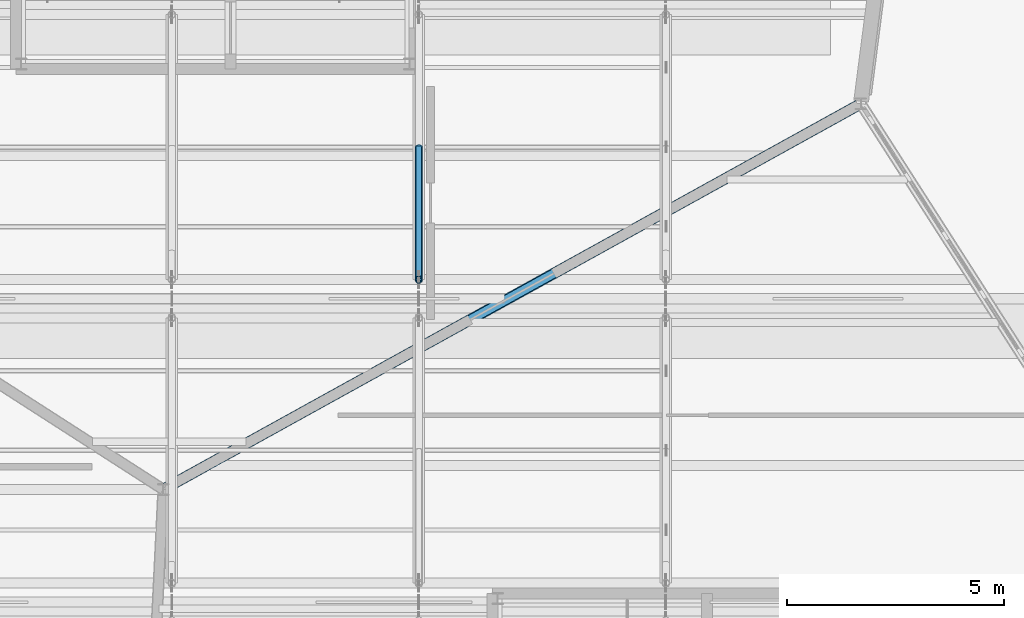
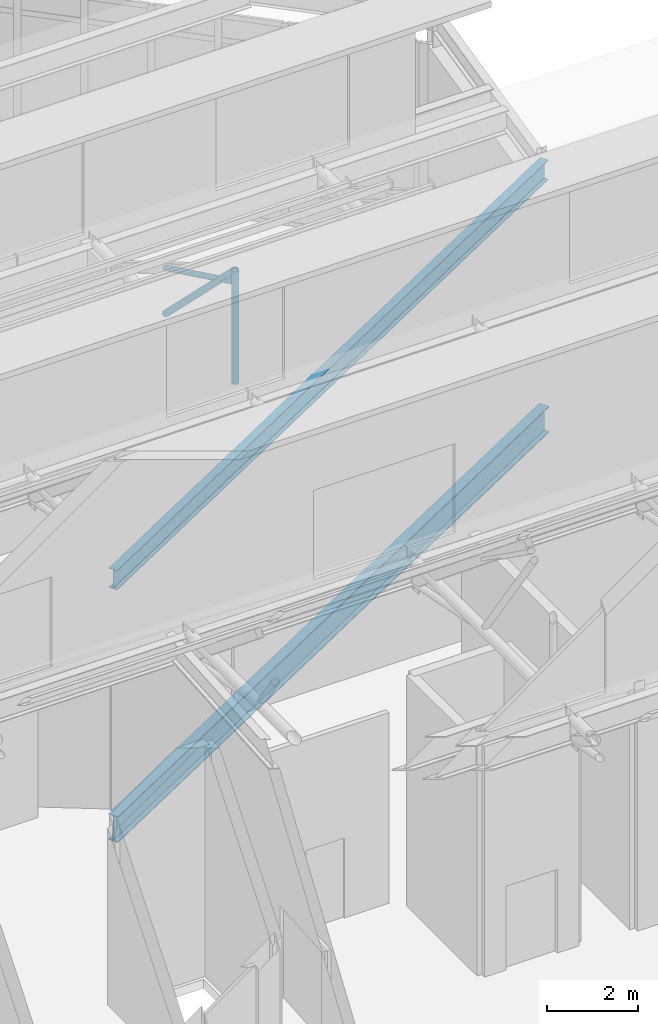
# One storey, part 31 of 55: 3 members, 2 beams.
"""IFC4 building model written with IfcOpenShell, lengths in metres."""

from ifc_helpers import new_model, si_unit, direction, frame, origin, origin_2d, place, context, subcontext, project, spatial, hollow_circle, i_section, extrude, material, material_profile, profile_set, type_object, element, save


model = new_model("IFC4")

# Units and contexts
model_context = context("Model", 3, precision=1e-05, world=origin(), true_north=direction((0.0, 1.0)))
body_context = subcontext(model_context, "Body", "Model", "MODEL_VIEW")
ifc_project = project(units=[si_unit("LENGTHUNIT", "METRE"), si_unit("AREAUNIT", "SQUARE_METRE"), si_unit("VOLUMEUNIT", "CUBIC_METRE"), si_unit("PLANEANGLEUNIT", "RADIAN"), si_unit("MASSUNIT", "GRAM", prefix="KILO")], contexts=[model_context])

# Site, building, storey
site_placement = place(None, origin())
site = spatial("IfcSite", under=ifc_project, at=site_placement, CompositionType="ELEMENT")
building_placement = place(site_placement, origin())
building = spatial("IfcBuilding", under=site, at=building_placement, Name="Tameran Prism Museum", CompositionType="ELEMENT")
storey_placement = place(building_placement, frame((0.0, 0.0, 28.800048828125)))
storey = spatial("IfcBuildingStorey", under=building, at=storey_placement, Name="L05", CompositionType="ELEMENT", Elevation=28.800048828125)

# Beams
ifc_material_1 = material(Name="Steel Grade 300PLUS (300 MPa)", Category="steel")
ifc_material_profile_1 = material_profile(ifc_material_1, i_section(OverallWidth=0.208984375, OverallDepth=0.528076171875, WebThickness=0.009521484375, FlangeThickness=0.01318359375, FilletRadius=0.013916015625, at=origin_2d()))
ifc_profile_set_1 = profile_set([ifc_material_profile_1])
beam_type_1 = type_object("IfcBeamType", Name="BM-SP530B", PredefinedType="SPANDREL", material=ifc_profile_set_1)
beam_1_placement = place(storey_placement, frame((134.89990234375, 98.0, 6.10595703125), z_axis=(-0.875181353329, -0.483794996652, 0.0), x_axis=(0.483794996652, -0.875181353329, 0.0)))
element("IfcBeam", 1, at=beam_1_placement, inside=storey, type_object=beam_type_1, Name="Roof Ring Beam RB-1260", PredefinedType="SPANDREL", context=body_context, shape_type="SweptSolid", body=[
    extrude(i_section(OverallWidth=0.208984375, OverallDepth=0.528076171875, WebThickness=0.009521484375, FlangeThickness=0.01318359375, FilletRadius=0.013916015625, at=origin_2d()), origin(), (0.0, 0.0, 1.0), 18.39599609375),
])
ifc_material_2 = material(Name="Steel Grade 350 (350 MPa)", Category="steel")
ifc_material_profile_2 = material_profile(ifc_material_2, i_section(OverallWidth=0.25, OverallDepth=0.699951171875, WebThickness=0.010009765625, FlangeThickness=0.02001953125, at=origin_2d()))
ifc_profile_set_2 = profile_set([ifc_material_profile_2])
beam_type_2 = type_object("IfcBeamType", Name="BM-SP700", PredefinedType="SPANDREL", material=ifc_profile_set_2)
beam_2_placement = place(storey_placement, frame((134.89990234375, 98.0, -0.590087890625), z_axis=(-0.875181353329, -0.483794996652, 0.0), x_axis=(0.483794996652, -0.875181353329, 0.0)))
element("IfcBeam", 2, at=beam_2_placement, inside=storey, type_object=beam_type_2, Name="Perimeter Spandrel SP-1255", PredefinedType="SPANDREL", context=body_context, shape_type="SweptSolid", body=[
    extrude(i_section(OverallWidth=0.25, OverallDepth=0.699951171875, WebThickness=0.010009765625, FlangeThickness=0.02001953125, at=origin_2d()), origin(), (0.0, 0.0, 1.0), 18.39599609375),
])

# Members
ifc_material_3 = material(Name="Steel Grade C350L0 (350 MPa)", Category="steel")
ifc_material_profile_3 = material_profile(ifc_material_3, hollow_circle(Radius=0.084228515625, WallThickness=0.007080078125, at=origin_2d()))
ifc_profile_set_3 = profile_set([ifc_material_profile_3])
member_type_1 = type_object("IfcMemberType", Name="MM-BR-CHS168", PredefinedType="BRACE", material=ifc_profile_set_3)
member_1_placement = place(storey_placement, frame((124.699951171875, 93.93994140625, 6.385986328125), z_axis=(0.0, 0.0, 1.0), x_axis=(1.0, 0.0, 0.0)))
element("IfcMember", 3, at=member_1_placement, inside=storey, type_object=member_type_1, Name="Sawtooth Brace STM-0136", PredefinedType="BRACE", context=body_context, shape_type="SweptSolid", body=[
    extrude(hollow_circle(Radius=0.084228515625, WallThickness=0.007080078125, at=origin_2d()), origin(), (0.0, 0.0, 1.0), 3.02294921875),
])
member_2_placement = place(storey_placement, frame((124.699951171875, 97.0, 6.385986328125), z_axis=(0.0, -0.711407246691, 0.70278000068), x_axis=(1.0, 0.0, 0.0)))
element("IfcMember", 4, at=member_2_placement, inside=storey, type_object=member_type_1, Name="Sawtooth Brace STM-0138", PredefinedType="BRACE", context=body_context, shape_type="SweptSolid", body=[
    extrude(hollow_circle(Radius=0.084228515625, WallThickness=0.007080078125, at=origin_2d()), origin(), (0.0, 0.0, 1.0), 4.301513671875),
])
ifc_material_4 = material(Name="Steel Grade C350L0 (350 MPa)", Category="steel")
ifc_material_profile_4 = material_profile(ifc_material_4, hollow_circle(Radius=0.06982421875, WallThickness=0.00634765625, at=origin_2d()))
ifc_profile_set_4 = profile_set([ifc_material_profile_4])
member_type_2 = type_object("IfcMemberType", Name="MM-ST-CHS140", PredefinedType="STRUT", material=ifc_profile_set_4)
member_3_placement = place(storey_placement, frame((124.699951171875, 93.93994140625, 9.0888671875), z_axis=(0.0, 0.900239175025, -0.435395713978), x_axis=(-1.0, 0.0, 0.0)))
element("IfcMember", 5, at=member_3_placement, inside=storey, type_object=member_type_2, Name="Sawtooth Strut STM-0140", PredefinedType="STRUT", context=body_context, shape_type="SweptSolid", body=[
    extrude(hollow_circle(Radius=0.06982421875, WallThickness=0.00634765625, at=origin_2d()), origin(), (0.0, 0.0, 1.0), 3.399169921875),
])

save(model, "model.ifc")
